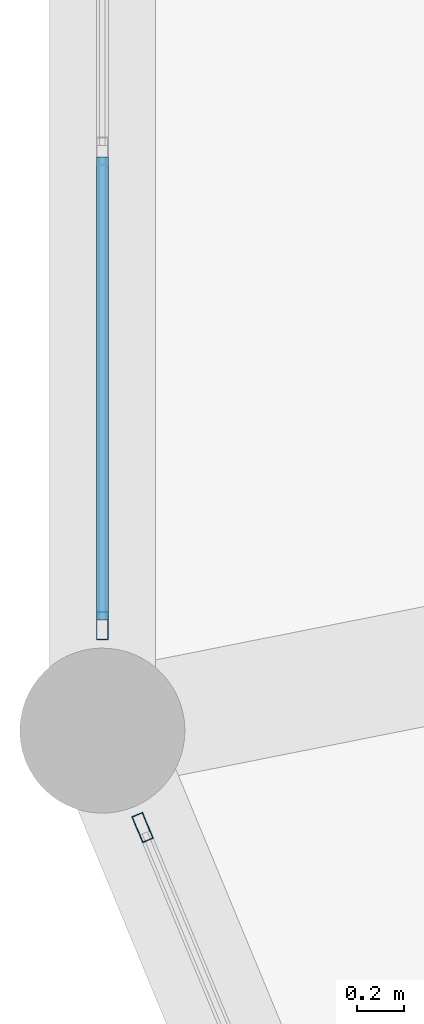
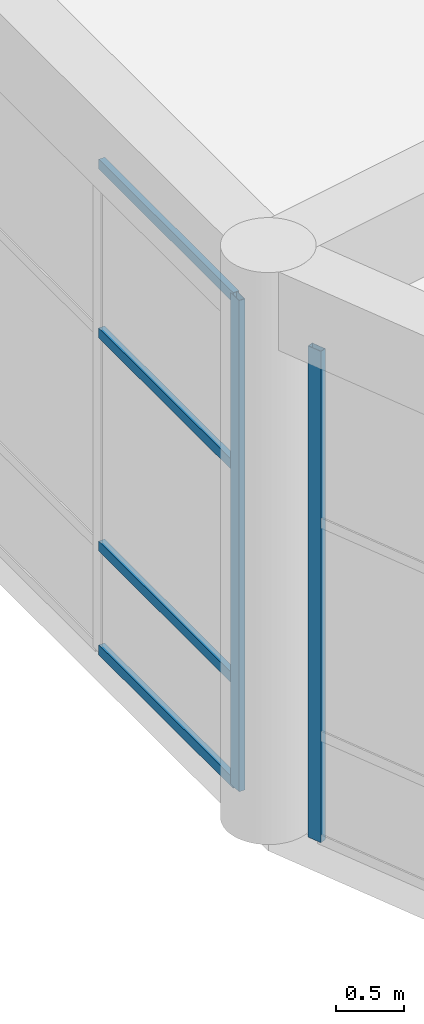
# One storey, part 7 of 96: 6 members, 2 elements without a shape of their own.
"""IFC4 building model written with IfcOpenShell, lengths in metres."""

from ifc_helpers import new_model, si_unit, direction, frame, origin, origin_2d, place, context, subcontext, project, spatial, hollow_rectangle, extrude, material, material_profile, profile_set, type_object, element, aggregate, save


model = new_model("IFC4")

# Units and contexts
model_context = context("Model", 3, precision=1e-05, world=origin(), true_north=direction((0.0, 1.0)))
body_context = subcontext(model_context, "Body", "Model", "MODEL_VIEW")
ifc_project = project(units=[si_unit("LENGTHUNIT", "METRE"), si_unit("AREAUNIT", "SQUARE_METRE"), si_unit("VOLUMEUNIT", "CUBIC_METRE"), si_unit("PLANEANGLEUNIT", "RADIAN"), si_unit("MASSUNIT", "GRAM", prefix="KILO")], contexts=[model_context])

# Site, building, storey
site_placement = place(None, origin())
site = spatial("IfcSite", under=ifc_project, at=site_placement, CompositionType="ELEMENT")
building_placement = place(site_placement, origin())
building = spatial("IfcBuilding", under=site, at=building_placement, Name="Almacenes y Pasaje Nevantli", CompositionType="ELEMENT")
storey_placement = place(building_placement, frame((0.0, 0.0, 6.0)))
storey = spatial("IfcBuildingStorey", under=building, at=storey_placement, Name="L02", CompositionType="ELEMENT", Elevation=6.0)

# Curtain wall, member
ifc_material_1 = material(Name="Thermally Broken Aluminium and Low-E Glass", Category="aluminium")
curtain_wall_type = type_object("IfcCurtainWallType", Name="CW-UNIT-ROTUNDA", PredefinedType="USERDEFINED", material=ifc_material_1)
curtain_wall_1_placement = place(storey_placement, origin())
curtain_wall_1 = element("IfcCurtainWall", 1, at=curtain_wall_1_placement, inside=storey, type_object=curtain_wall_type, Name="L02 Corner Rotunda Faceted Curtain Wall Facet #8", ObjectType="UNITIZED CURTAIN WALL", PredefinedType="USERDEFINED")
ifc_material_2 = material(Name="Thermally Broken Anodized Aluminium", Category="aluminium")
ifc_material_profile_1 = material_profile(ifc_material_2, hollow_rectangle(XDim=0.050048828125, YDim=0.1201171875, WallThickness=0.003173828125, at=origin_2d()), Name="ALU-MUL-50x120")
ifc_profile_set_1 = profile_set([ifc_material_profile_1], Name="Thermally Broken Anodized Aluminium")
member_type_1 = type_object("IfcMemberType", Name="CW-MUL-140", PredefinedType="MULLION", material=ifc_profile_set_1)
member_1_placement = place(storey_placement, frame((-3.9580078125, 6.386962890625, 0.0), z_axis=(0.0, 0.0, 1.0), x_axis=(1.0, 0.0, 0.0)))
member_1 = element("IfcMember", 2, at=member_1_placement, type_object=member_type_1, Name="CW-L02-027 mullion 3", PredefinedType="MULLION", context=body_context, shape_type="SweptSolid", body=[
    extrude(hollow_rectangle(XDim=0.050048828125, YDim=0.1201171875, WallThickness=0.003173828125, at=origin_2d()), origin(), (0.0, 0.0, 1.0), 4.3798828125),
])

curtain_wall_2_placement = place(storey_placement, origin())
curtain_wall_2 = element("IfcCurtainWall", 3, at=curtain_wall_2_placement, inside=storey, type_object=curtain_wall_type, Name="L02 Corner Rotunda Faceted Curtain Wall Facet #9", ObjectType="UNITIZED CURTAIN WALL", PredefinedType="USERDEFINED")
member_2_placement = place(storey_placement, frame((-3.78759765625, 5.53076171875, 0.0), z_axis=(0.0, 0.0, 1.0), x_axis=(0.923873311502, 0.382698450865, 0.0)))
member_2 = element("IfcMember", 4, at=member_2_placement, type_object=member_type_1, Name="CW-L02-028 mullion 1", PredefinedType="MULLION", context=body_context, shape_type="SweptSolid", body=[
    extrude(hollow_rectangle(XDim=0.050048828125, YDim=0.1201171875, WallThickness=0.003173828125, at=origin_2d()), origin(), (0.0, 0.0, 1.0), 4.3798828125),
])
aggregate(curtain_wall_2, [member_2])

# Member
ifc_material_3 = material(Name="Thermally Broken Anodized Aluminium", Category="aluminium")
ifc_material_profile_2 = material_profile(ifc_material_3, hollow_rectangle(XDim=0.050048828125, YDim=0.090087890625, WallThickness=0.0029296875, at=origin_2d()), Name="ALU-TRN-50x90")
ifc_profile_set_2 = profile_set([ifc_material_profile_2], Name="Thermally Broken Anodized Aluminium")
member_type_2 = type_object("IfcMemberType", Name="CW-TRN-100", PredefinedType="USERDEFINED", material=ifc_profile_set_2)
member_3_placement = place(storey_placement, frame((-3.9580078125, 8.375, 0.02490234375), z_axis=(0.0, -1.0, 0.0), x_axis=(1.0, 0.0, 0.0)))
member_3 = element("IfcMember", 5, at=member_3_placement, type_object=member_type_2, Name="CW-L02-027 transom 2.1", ObjectType="TRANSOM", PredefinedType="USERDEFINED", context=body_context, shape_type="SweptSolid", body=[
    extrude(hollow_rectangle(XDim=0.050048828125, YDim=0.090087890625, WallThickness=0.0029296875, at=origin_2d()), origin(), (0.0, 0.0, 1.0), 1.963134765625),
])

member_4_placement = place(storey_placement, frame((-3.9580078125, 8.375, 0.949951171875), z_axis=(0.0, -1.0, 0.0), x_axis=(1.0, 0.0, 0.0)))
member_4 = element("IfcMember", 6, at=member_4_placement, type_object=member_type_2, Name="CW-L02-027 transom 2.2", ObjectType="TRANSOM", PredefinedType="USERDEFINED", context=body_context, shape_type="SweptSolid", body=[
    extrude(hollow_rectangle(XDim=0.050048828125, YDim=0.090087890625, WallThickness=0.0029296875, at=origin_2d()), origin(), (0.0, 0.0, 1.0), 1.963134765625),
])

member_5_placement = place(storey_placement, frame((-3.9580078125, 8.375, 2.85009765625), z_axis=(0.0, -1.0, 0.0), x_axis=(1.0, 0.0, 0.0)))
member_5 = element("IfcMember", 7, at=member_5_placement, type_object=member_type_2, Name="CW-L02-027 transom 2.3", ObjectType="TRANSOM", PredefinedType="USERDEFINED", context=body_context, shape_type="SweptSolid", body=[
    extrude(hollow_rectangle(XDim=0.050048828125, YDim=0.090087890625, WallThickness=0.0029296875, at=origin_2d()), origin(), (0.0, 0.0, 1.0), 1.963134765625),
])

member_6_placement = place(storey_placement, frame((-3.9580078125, 8.375, 4.35498046875), z_axis=(0.0, -1.0, 0.0), x_axis=(1.0, 0.0, 0.0)))
member_6 = element("IfcMember", 8, at=member_6_placement, type_object=member_type_2, Name="CW-L02-027 transom 2.4", ObjectType="TRANSOM", PredefinedType="USERDEFINED", context=body_context, shape_type="SweptSolid", body=[
    extrude(hollow_rectangle(XDim=0.050048828125, YDim=0.090087890625, WallThickness=0.0029296875, at=origin_2d()), origin(), (0.0, 0.0, 1.0), 1.963134765625),
])

aggregate(curtain_wall_1, [member_1, member_3, member_4, member_5, member_6])

save(model, "model.ifc")
